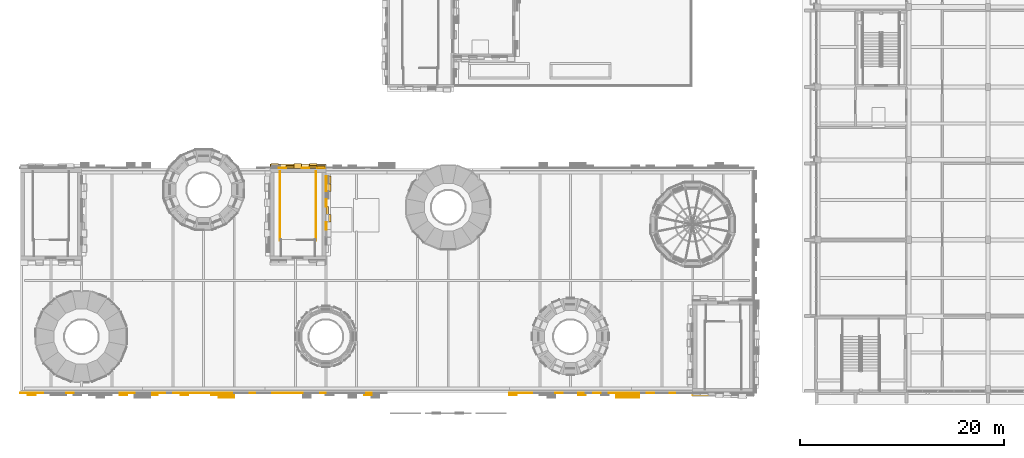
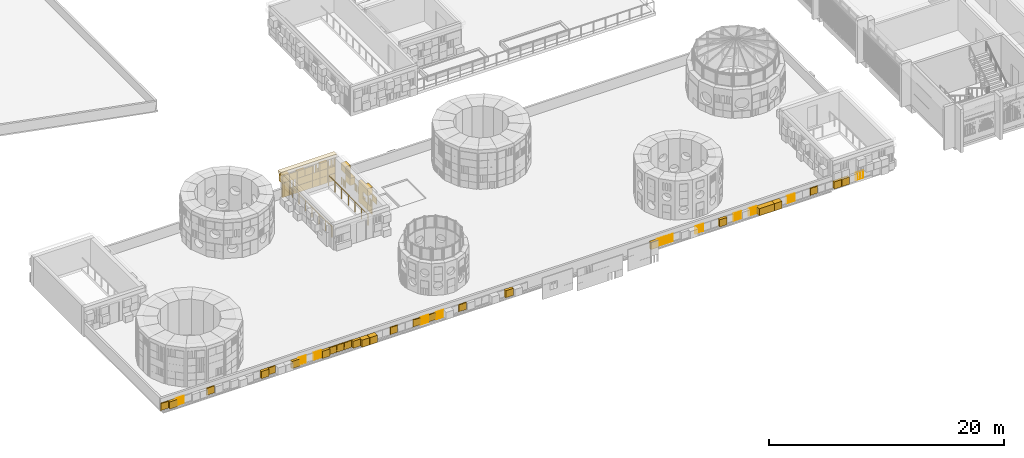
# One storey, part 72 of 98: 12 coverings, 2 railings.
"""IFC4 building model written with IfcOpenShell, lengths in metres."""

from ifc_helpers import new_model, si_unit, direction, frame, origin, origin_2d, place, context, subcontext, project, spatial, rectangle, circle, extrude, material, layer, layer_set, type_object, element, save


model = new_model("IFC4")

# Units and contexts
model_context = context("Model", 3, precision=1e-05, world=origin(), true_north=direction((0.0, 1.0)))
body_context = subcontext(model_context, "Body", "Model", "MODEL_VIEW")
ifc_project = project(units=[si_unit("LENGTHUNIT", "METRE"), si_unit("AREAUNIT", "SQUARE_METRE"), si_unit("VOLUMEUNIT", "CUBIC_METRE"), si_unit("PLANEANGLEUNIT", "RADIAN"), si_unit("MASSUNIT", "GRAM", prefix="KILO")], contexts=[model_context])

# Site, building, storey
site_placement = place(None, origin())
site = spatial("IfcSite", under=ifc_project, at=site_placement, CompositionType="ELEMENT")
building_placement = place(site_placement, origin())
building = spatial("IfcBuilding", under=site, at=building_placement, Name="Sun Court Science Centre", CompositionType="ELEMENT")
storey_placement = place(building_placement, frame((0.0, 0.0, 15.75)))
storey = spatial("IfcBuildingStorey", under=building, at=storey_placement, Name="L03", CompositionType="ELEMENT", Elevation=15.75)

# Railings
ifc_material_1 = material(Name="Steel S275", Category="steel")
railing_type = type_object("IfcRailingType", Name="Guard 1100 steel balustrade", PredefinedType="GUARDRAIL", material=ifc_material_1)
for number, where, name in (
    (1, (29.02294921875, 20.947998046875, 0.0), "L03 SB2 top well guard 2"),
    (2, (25.47705078125, 20.947998046875, 0.0), "L03 SB2 top well guard 3"),
):
    element("IfcRailing", number, at=place(storey_placement, frame(where)), inside=storey, type_object=railing_type, Name=name, PredefinedType="GUARDRAIL", context=body_context, shape_type="SweptSolid", body=[
        extrude(circle(Radius=0.02392578125, at=origin_2d()), frame((0.0, 0.0, 1.076171875), z_axis=(0.0, 1.0, 0.0), x_axis=(-1.0, 0.0, 0.0)), (0.0, 0.0, 1.0), 6.751953125),
        extrude(circle(Radius=0.02099609375, at=origin_2d()), origin(), (0.0, 0.0, 1.0), 1.052001953125),
        extrude(circle(Radius=0.02099609375, at=origin_2d()), frame((0.0, 1.125244140625, 0.0)), (0.0, 0.0, 1.0), 1.052001953125),
        extrude(circle(Radius=0.02099609375, at=origin_2d()), frame((0.0, 2.250732421875, 0.0)), (0.0, 0.0, 1.0), 1.052001953125),
        extrude(circle(Radius=0.02099609375, at=origin_2d()), frame((0.0, 3.3759765625, 0.0)), (0.0, 0.0, 1.0), 1.052001953125),
        extrude(circle(Radius=0.02099609375, at=origin_2d()), frame((0.0, 4.501220703125, 0.0)), (0.0, 0.0, 1.0), 1.052001953125),
        extrude(circle(Radius=0.02099609375, at=origin_2d()), frame((0.0, 5.626708984375, 0.0)), (0.0, 0.0, 1.0), 1.052001953125),
        extrude(circle(Radius=0.02099609375, at=origin_2d()), frame((0.0, 6.751953125, 0.0)), (0.0, 0.0, 1.0), 1.052001953125),
    ])

# Coverings
ifc_material_2 = material(Name="Terracotta panel", Category="masonry")
ifc_layer_1 = layer(ifc_material_2, 0.449951171875)
ifc_layer_set_1 = layer_set([ifc_layer_1], Name="Terracotta panel")
covering_type_1 = type_object("IfcCoveringType", Name="Terracotta cornice 450", PredefinedType="CLADDING", material=ifc_layer_set_1)
covering_1_placement = place(storey_placement, frame((0.0, 0.0, -15.75)))
element("IfcCovering", 3, at=covering_1_placement, inside=storey, type_object=covering_type_1, Name="Terracotta cornice north face of core L03", PredefinedType="CLADDING", context=body_context, shape_type="SweptSolid", body=[
    extrude(rectangle(XDim=5.5, YDim=0.449951171875, at=origin_2d()), frame((27.25, 28.22509765625, 18.2001953125), z_axis=(0.0, 0.0, 1.0), x_axis=(1.0, 0.0, 0.0)), (0.0, 0.0, 1.0), 0.300048828125),
])
ifc_material_3 = material(Name="Terracotta jali", Category="masonry")
ifc_layer_2 = layer(ifc_material_3, 0.06005859375)
ifc_layer_set_2 = layer_set([ifc_layer_2], Name="Terracotta jali")
covering_type_2 = type_object("IfcCoveringType", Name="Terracotta open jali panel", PredefinedType="CLADDING", material=ifc_layer_set_2)
covering_2_placement = place(storey_placement, frame((0.0, 0.0, -15.75)))
element("IfcCovering", 4, at=covering_2_placement, inside=storey, type_object=covering_type_2, Name="Open jali pixel cladding south face L03", PredefinedType="CLADDING", context=body_context, shape_type="SweptSolid", body=[
    extrude(rectangle(XDim=0.139892578125, YDim=0.06005859375, at=origin_2d()), frame((68.925048828125, 5.969970703125, 15.7548828125), z_axis=(0.0, 0.0, 1.0), x_axis=(-1.0, 0.0, 0.0)), (0.0, 0.0, 1.0), 0.739990234375),
    extrude(rectangle(XDim=0.139892578125, YDim=0.06005859375, at=origin_2d()), frame((68.625, 5.969970703125, 15.7548828125), z_axis=(0.0, 0.0, 1.0), x_axis=(-1.0, 0.0, 0.0)), (0.0, 0.0, 1.0), 0.739990234375),
    extrude(rectangle(XDim=0.139892578125, YDim=0.06005859375, at=origin_2d()), frame((68.324951171875, 5.969970703125, 15.7548828125), z_axis=(0.0, 0.0, 1.0), x_axis=(-1.0, 0.0, 0.0)), (0.0, 0.0, 1.0), 0.739990234375),
    extrude(rectangle(XDim=0.139892578125, YDim=0.06005859375, at=origin_2d()), frame((62.175048828125, 5.969970703125, 15.7548828125), z_axis=(0.0, 0.0, 1.0), x_axis=(-1.0, 0.0, 0.0)), (0.0, 0.0, 1.0), 0.739990234375),
    extrude(rectangle(XDim=0.139892578125, YDim=0.06005859375, at=origin_2d()), frame((61.875, 5.969970703125, 15.7548828125), z_axis=(0.0, 0.0, 1.0), x_axis=(-1.0, 0.0, 0.0)), (0.0, 0.0, 1.0), 0.739990234375),
    extrude(rectangle(XDim=0.139892578125, YDim=0.06005859375, at=origin_2d()), frame((61.574951171875, 5.969970703125, 15.7548828125), z_axis=(0.0, 0.0, 1.0), x_axis=(-1.0, 0.0, 0.0)), (0.0, 0.0, 1.0), 0.739990234375),
    extrude(rectangle(XDim=0.139892578125, YDim=0.06005859375, at=origin_2d()), frame((58.425048828125, 5.969970703125, 15.7548828125), z_axis=(0.0, 0.0, 1.0), x_axis=(-1.0, 0.0, 0.0)), (0.0, 0.0, 1.0), 0.739990234375),
    extrude(rectangle(XDim=0.139892578125, YDim=0.06005859375, at=origin_2d()), frame((58.125, 5.969970703125, 15.7548828125), z_axis=(0.0, 0.0, 1.0), x_axis=(-1.0, 0.0, 0.0)), (0.0, 0.0, 1.0), 0.739990234375),
    extrude(rectangle(XDim=0.139892578125, YDim=0.06005859375, at=origin_2d()), frame((57.824951171875, 5.969970703125, 15.7548828125), z_axis=(0.0, 0.0, 1.0), x_axis=(-1.0, 0.0, 0.0)), (0.0, 0.0, 1.0), 0.739990234375),
    extrude(rectangle(XDim=0.139892578125, YDim=0.06005859375, at=origin_2d()), frame((56.925048828125, 5.969970703125, 15.7548828125), z_axis=(0.0, 0.0, 1.0), x_axis=(-1.0, 0.0, 0.0)), (0.0, 0.0, 1.0), 0.739990234375),
    extrude(rectangle(XDim=0.139892578125, YDim=0.06005859375, at=origin_2d()), frame((56.625, 5.969970703125, 15.7548828125), z_axis=(0.0, 0.0, 1.0), x_axis=(-1.0, 0.0, 0.0)), (0.0, 0.0, 1.0), 0.739990234375),
    extrude(rectangle(XDim=0.139892578125, YDim=0.06005859375, at=origin_2d()), frame((56.324951171875, 5.969970703125, 15.7548828125), z_axis=(0.0, 0.0, 1.0), x_axis=(-1.0, 0.0, 0.0)), (0.0, 0.0, 1.0), 0.739990234375),
    extrude(rectangle(XDim=0.139892578125, YDim=0.06005859375, at=origin_2d()), frame((53.175048828125, 5.969970703125, 15.7548828125), z_axis=(0.0, 0.0, 1.0), x_axis=(-1.0, 0.0, 0.0)), (0.0, 0.0, 1.0), 0.739990234375),
    extrude(rectangle(XDim=0.139892578125, YDim=0.06005859375, at=origin_2d()), frame((52.875, 5.969970703125, 15.7548828125), z_axis=(0.0, 0.0, 1.0), x_axis=(-1.0, 0.0, 0.0)), (0.0, 0.0, 1.0), 0.739990234375),
    extrude(rectangle(XDim=0.139892578125, YDim=0.06005859375, at=origin_2d()), frame((52.574951171875, 5.969970703125, 15.7548828125), z_axis=(0.0, 0.0, 1.0), x_axis=(-1.0, 0.0, 0.0)), (0.0, 0.0, 1.0), 0.739990234375),
    extrude(rectangle(XDim=0.139892578125, YDim=0.06005859375, at=origin_2d()), frame((50.175048828125, 5.969970703125, 15.7548828125), z_axis=(0.0, 0.0, 1.0), x_axis=(-1.0, 0.0, 0.0)), (0.0, 0.0, 1.0), 0.739990234375),
    extrude(rectangle(XDim=0.139892578125, YDim=0.06005859375, at=origin_2d()), frame((49.875, 5.969970703125, 15.7548828125), z_axis=(0.0, 0.0, 1.0), x_axis=(-1.0, 0.0, 0.0)), (0.0, 0.0, 1.0), 0.739990234375),
    extrude(rectangle(XDim=0.139892578125, YDim=0.06005859375, at=origin_2d()), frame((49.574951171875, 5.969970703125, 15.7548828125), z_axis=(0.0, 0.0, 1.0), x_axis=(-1.0, 0.0, 0.0)), (0.0, 0.0, 1.0), 0.739990234375),
    extrude(rectangle(XDim=0.139892578125, YDim=0.06005859375, at=origin_2d()), frame((49.425048828125, 5.969970703125, 15.7548828125), z_axis=(0.0, 0.0, 1.0), x_axis=(-1.0, 0.0, 0.0)), (0.0, 0.0, 1.0), 0.739990234375),
    extrude(rectangle(XDim=0.139892578125, YDim=0.06005859375, at=origin_2d()), frame((49.125, 5.969970703125, 15.7548828125), z_axis=(0.0, 0.0, 1.0), x_axis=(-1.0, 0.0, 0.0)), (0.0, 0.0, 1.0), 0.739990234375),
    extrude(rectangle(XDim=0.139892578125, YDim=0.06005859375, at=origin_2d()), frame((48.824951171875, 5.969970703125, 15.7548828125), z_axis=(0.0, 0.0, 1.0), x_axis=(-1.0, 0.0, 0.0)), (0.0, 0.0, 1.0), 0.739990234375),
    extrude(rectangle(XDim=0.139892578125, YDim=0.06005859375, at=origin_2d()), frame((27.675048828125, 5.969970703125, 15.7548828125), z_axis=(0.0, 0.0, 1.0), x_axis=(-1.0, 0.0, 0.0)), (0.0, 0.0, 1.0), 0.739990234375),
    extrude(rectangle(XDim=0.139892578125, YDim=0.06005859375, at=origin_2d()), frame((27.375, 5.969970703125, 15.7548828125), z_axis=(0.0, 0.0, 1.0), x_axis=(-1.0, 0.0, 0.0)), (0.0, 0.0, 1.0), 0.739990234375),
    extrude(rectangle(XDim=0.139892578125, YDim=0.06005859375, at=origin_2d()), frame((27.074951171875, 5.969970703125, 15.7548828125), z_axis=(0.0, 0.0, 1.0), x_axis=(-1.0, 0.0, 0.0)), (0.0, 0.0, 1.0), 0.739990234375),
    extrude(rectangle(XDim=0.139892578125, YDim=0.06005859375, at=origin_2d()), frame((26.175048828125, 5.969970703125, 15.7548828125), z_axis=(0.0, 0.0, 1.0), x_axis=(-1.0, 0.0, 0.0)), (0.0, 0.0, 1.0), 0.739990234375),
    extrude(rectangle(XDim=0.139892578125, YDim=0.06005859375, at=origin_2d()), frame((25.875, 5.969970703125, 15.7548828125), z_axis=(0.0, 0.0, 1.0), x_axis=(-1.0, 0.0, 0.0)), (0.0, 0.0, 1.0), 0.739990234375),
    extrude(rectangle(XDim=0.139892578125, YDim=0.06005859375, at=origin_2d()), frame((25.574951171875, 5.969970703125, 15.7548828125), z_axis=(0.0, 0.0, 1.0), x_axis=(-1.0, 0.0, 0.0)), (0.0, 0.0, 1.0), 0.739990234375),
    extrude(rectangle(XDim=0.139892578125, YDim=0.06005859375, at=origin_2d()), frame((15.675048828125, 5.969970703125, 15.7548828125), z_axis=(0.0, 0.0, 1.0), x_axis=(-1.0, 0.0, 0.0)), (0.0, 0.0, 1.0), 0.739990234375),
    extrude(rectangle(XDim=0.139892578125, YDim=0.06005859375, at=origin_2d()), frame((15.375, 5.969970703125, 15.7548828125), z_axis=(0.0, 0.0, 1.0), x_axis=(-1.0, 0.0, 0.0)), (0.0, 0.0, 1.0), 0.739990234375),
    extrude(rectangle(XDim=0.139892578125, YDim=0.06005859375, at=origin_2d()), frame((15.074951171875, 5.969970703125, 15.7548828125), z_axis=(0.0, 0.0, 1.0), x_axis=(-1.0, 0.0, 0.0)), (0.0, 0.0, 1.0), 0.739990234375),
    extrude(rectangle(XDim=0.139892578125, YDim=0.06005859375, at=origin_2d()), frame((14.175048828125, 5.969970703125, 15.7548828125), z_axis=(0.0, 0.0, 1.0), x_axis=(-1.0, 0.0, 0.0)), (0.0, 0.0, 1.0), 0.739990234375),
    extrude(rectangle(XDim=0.139892578125, YDim=0.06005859375, at=origin_2d()), frame((13.875, 5.969970703125, 15.7548828125), z_axis=(0.0, 0.0, 1.0), x_axis=(-1.0, 0.0, 0.0)), (0.0, 0.0, 1.0), 0.739990234375),
    extrude(rectangle(XDim=0.139892578125, YDim=0.06005859375, at=origin_2d()), frame((13.574951171875, 5.969970703125, 15.7548828125), z_axis=(0.0, 0.0, 1.0), x_axis=(-1.0, 0.0, 0.0)), (0.0, 0.0, 1.0), 0.739990234375),
    extrude(rectangle(XDim=0.139892578125, YDim=0.06005859375, at=origin_2d()), frame((2.175048828125, 5.969970703125, 15.7548828125), z_axis=(0.0, 0.0, 1.0), x_axis=(-1.0, 0.0, 0.0)), (0.0, 0.0, 1.0), 0.739990234375),
    extrude(rectangle(XDim=0.139892578125, YDim=0.06005859375, at=origin_2d()), frame((1.875, 5.969970703125, 15.7548828125), z_axis=(0.0, 0.0, 1.0), x_axis=(-1.0, 0.0, 0.0)), (0.0, 0.0, 1.0), 0.739990234375),
    extrude(rectangle(XDim=0.139892578125, YDim=0.06005859375, at=origin_2d()), frame((1.574951171875, 5.969970703125, 15.7548828125), z_axis=(0.0, 0.0, 1.0), x_axis=(-1.0, 0.0, 0.0)), (0.0, 0.0, 1.0), 0.739990234375),
])
covering_3_placement = place(storey_placement, frame((0.0, 0.0, -15.75)))
element("IfcCovering", 5, at=covering_3_placement, inside=storey, type_object=covering_type_2, Name="Open jali pixel cladding east face of core L03", PredefinedType="CLADDING", context=body_context, shape_type="SweptSolid", body=[
    extrude(rectangle(XDim=0.139892578125, YDim=0.06005859375, at=origin_2d()), frame((30.030029296875, 27.175048828125, 15.830078125), z_axis=(0.0, 0.0, 1.0), x_axis=(0.0, -1.0, 0.0)), (0.0, 0.0, 1.0), 0.739990234375),
    extrude(rectangle(XDim=0.139892578125, YDim=0.06005859375, at=origin_2d()), frame((30.030029296875, 26.875, 15.830078125), z_axis=(0.0, 0.0, 1.0), x_axis=(0.0, -1.0, 0.0)), (0.0, 0.0, 1.0), 0.739990234375),
    extrude(rectangle(XDim=0.139892578125, YDim=0.06005859375, at=origin_2d()), frame((30.030029296875, 26.574951171875, 15.830078125), z_axis=(0.0, 0.0, 1.0), x_axis=(0.0, -1.0, 0.0)), (0.0, 0.0, 1.0), 0.739990234375),
    extrude(rectangle(XDim=0.139892578125, YDim=0.06005859375, at=origin_2d()), frame((30.030029296875, 24.925048828125, 16.580078125), z_axis=(0.0, 0.0, 1.0), x_axis=(0.0, -1.0, 0.0)), (0.0, 0.0, 1.0), 0.739990234375),
    extrude(rectangle(XDim=0.139892578125, YDim=0.06005859375, at=origin_2d()), frame((30.030029296875, 24.625, 16.580078125), z_axis=(0.0, 0.0, 1.0), x_axis=(0.0, -1.0, 0.0)), (0.0, 0.0, 1.0), 0.739990234375),
    extrude(rectangle(XDim=0.139892578125, YDim=0.06005859375, at=origin_2d()), frame((30.030029296875, 24.324951171875, 16.580078125), z_axis=(0.0, 0.0, 1.0), x_axis=(0.0, -1.0, 0.0)), (0.0, 0.0, 1.0), 0.739990234375),
    extrude(rectangle(XDim=0.139892578125, YDim=0.06005859375, at=origin_2d()), frame((30.030029296875, 22.675048828125, 16.580078125), z_axis=(0.0, 0.0, 1.0), x_axis=(0.0, -1.0, 0.0)), (0.0, 0.0, 1.0), 0.739990234375),
    extrude(rectangle(XDim=0.139892578125, YDim=0.06005859375, at=origin_2d()), frame((30.030029296875, 22.375, 16.580078125), z_axis=(0.0, 0.0, 1.0), x_axis=(0.0, -1.0, 0.0)), (0.0, 0.0, 1.0), 0.739990234375),
    extrude(rectangle(XDim=0.139892578125, YDim=0.06005859375, at=origin_2d()), frame((30.030029296875, 22.074951171875, 16.580078125), z_axis=(0.0, 0.0, 1.0), x_axis=(0.0, -1.0, 0.0)), (0.0, 0.0, 1.0), 0.739990234375),
    extrude(rectangle(XDim=0.139892578125, YDim=0.06005859375, at=origin_2d()), frame((30.030029296875, 26.425048828125, 17.330078125), z_axis=(0.0, 0.0, 1.0), x_axis=(0.0, -1.0, 0.0)), (0.0, 0.0, 1.0), 0.739990234375),
    extrude(rectangle(XDim=0.139892578125, YDim=0.06005859375, at=origin_2d()), frame((30.030029296875, 26.125, 17.330078125), z_axis=(0.0, 0.0, 1.0), x_axis=(0.0, -1.0, 0.0)), (0.0, 0.0, 1.0), 0.739990234375),
    extrude(rectangle(XDim=0.139892578125, YDim=0.06005859375, at=origin_2d()), frame((30.030029296875, 25.824951171875, 17.330078125), z_axis=(0.0, 0.0, 1.0), x_axis=(0.0, -1.0, 0.0)), (0.0, 0.0, 1.0), 0.739990234375),
    extrude(rectangle(XDim=0.739990234375, YDim=0.06005859375, at=origin_2d()), frame((30.030029296875, 22.375, 15.830078125), z_axis=(0.0, 0.0, 1.0), x_axis=(0.0, -1.0, 0.0)), (0.0, 0.0, 1.0), 0.739990234375),
])
covering_4_placement = place(storey_placement, frame((0.0, 0.0, -15.75)))
element("IfcCovering", 6, at=covering_4_placement, inside=storey, type_object=covering_type_2, Name="Open jali pixel cladding north face of core L03", PredefinedType="CLADDING", context=body_context, shape_type="SweptSolid", body=[
    extrude(rectangle(XDim=0.139892578125, YDim=0.06005859375, at=origin_2d()), frame((25.449951171875, 28.030029296875, 16.580078125), z_axis=(0.0, 0.0, 1.0), x_axis=(1.0, 0.0, 0.0)), (0.0, 0.0, 1.0), 0.739990234375),
    extrude(rectangle(XDim=0.139892578125, YDim=0.06005859375, at=origin_2d()), frame((25.75, 28.030029296875, 16.580078125), z_axis=(0.0, 0.0, 1.0), x_axis=(1.0, 0.0, 0.0)), (0.0, 0.0, 1.0), 0.739990234375),
    extrude(rectangle(XDim=0.139892578125, YDim=0.06005859375, at=origin_2d()), frame((26.050048828125, 28.030029296875, 16.580078125), z_axis=(0.0, 0.0, 1.0), x_axis=(1.0, 0.0, 0.0)), (0.0, 0.0, 1.0), 0.739990234375),
    extrude(rectangle(XDim=0.139892578125, YDim=0.06005859375, at=origin_2d()), frame((27.699951171875, 28.030029296875, 17.330078125), z_axis=(0.0, 0.0, 1.0), x_axis=(1.0, 0.0, 0.0)), (0.0, 0.0, 1.0), 0.739990234375),
    extrude(rectangle(XDim=0.139892578125, YDim=0.06005859375, at=origin_2d()), frame((28.0, 28.030029296875, 17.330078125), z_axis=(0.0, 0.0, 1.0), x_axis=(1.0, 0.0, 0.0)), (0.0, 0.0, 1.0), 0.739990234375),
    extrude(rectangle(XDim=0.139892578125, YDim=0.06005859375, at=origin_2d()), frame((28.300048828125, 28.030029296875, 17.330078125), z_axis=(0.0, 0.0, 1.0), x_axis=(1.0, 0.0, 0.0)), (0.0, 0.0, 1.0), 0.739990234375),
    extrude(rectangle(XDim=0.139892578125, YDim=0.06005859375, at=origin_2d()), frame((29.199951171875, 28.030029296875, 17.330078125), z_axis=(0.0, 0.0, 1.0), x_axis=(1.0, 0.0, 0.0)), (0.0, 0.0, 1.0), 0.739990234375),
    extrude(rectangle(XDim=0.139892578125, YDim=0.06005859375, at=origin_2d()), frame((29.5, 28.030029296875, 17.330078125), z_axis=(0.0, 0.0, 1.0), x_axis=(1.0, 0.0, 0.0)), (0.0, 0.0, 1.0), 0.739990234375),
    extrude(rectangle(XDim=0.139892578125, YDim=0.06005859375, at=origin_2d()), frame((29.800048828125, 28.030029296875, 17.330078125), z_axis=(0.0, 0.0, 1.0), x_axis=(1.0, 0.0, 0.0)), (0.0, 0.0, 1.0), 0.739990234375),
    extrude(rectangle(XDim=0.739990234375, YDim=0.06005859375, at=origin_2d()), frame((25.75, 28.030029296875, 17.330078125), z_axis=(0.0, 0.0, 1.0), x_axis=(1.0, 0.0, 0.0)), (0.0, 0.0, 1.0), 0.739990234375),
])
ifc_material_4 = material(Name="Terracotta shade 1", Category="masonry")
ifc_layer_3 = layer(ifc_material_4, 0.06005859375)
ifc_layer_set_3 = layer_set([ifc_layer_3], Name="Terracotta shade 1")
covering_type_3 = type_object("IfcCoveringType", Name="Terracotta pixel panel shade 1", PredefinedType="CLADDING", material=ifc_layer_set_3)
covering_5_placement = place(storey_placement, frame((0.0, 0.0, -15.75)))
element("IfcCovering", 7, at=covering_5_placement, inside=storey, type_object=covering_type_3, Name="Terracotta pixel cladding shade 1 east face of core L03", PredefinedType="CLADDING", context=body_context, shape_type="SweptSolid", body=[
    extrude(rectangle(XDim=0.739990234375, YDim=0.260009765625, at=origin_2d()), frame((30.1298828125, 23.875, 15.830078125), z_axis=(0.0, 0.0, 1.0), x_axis=(0.0, -1.0, 0.0)), (0.0, 0.0, 1.0), 0.739990234375),
    extrude(rectangle(XDim=0.739990234375, YDim=0.06005859375, at=origin_2d()), frame((30.030029296875, 23.125, 15.830078125), z_axis=(0.0, 0.0, 1.0), x_axis=(0.0, -1.0, 0.0)), (0.0, 0.0, 1.0), 0.739990234375),
    extrude(rectangle(XDim=0.739990234375, YDim=0.510009765625, at=origin_2d()), frame((30.2548828125, 26.125, 16.580078125), z_axis=(0.0, 0.0, 1.0), x_axis=(0.0, -1.0, 0.0)), (0.0, 0.0, 1.0), 0.739990234375),
    extrude(rectangle(XDim=0.739990234375, YDim=0.06005859375, at=origin_2d()), frame((30.030029296875, 23.875, 16.580078125), z_axis=(0.0, 0.0, 1.0), x_axis=(0.0, -1.0, 0.0)), (0.0, 0.0, 1.0), 0.739990234375),
    extrude(rectangle(XDim=0.739990234375, YDim=0.510009765625, at=origin_2d()), frame((30.2548828125, 26.875, 17.330078125), z_axis=(0.0, 0.0, 1.0), x_axis=(0.0, -1.0, 0.0)), (0.0, 0.0, 1.0), 0.739990234375),
    extrude(rectangle(XDim=0.739990234375, YDim=0.260009765625, at=origin_2d()), frame((30.1298828125, 23.875, 17.330078125), z_axis=(0.0, 0.0, 1.0), x_axis=(0.0, -1.0, 0.0)), (0.0, 0.0, 1.0), 0.739990234375),
    extrude(rectangle(XDim=0.739990234375, YDim=0.510009765625, at=origin_2d()), frame((30.2548828125, 23.125, 17.330078125), z_axis=(0.0, 0.0, 1.0), x_axis=(0.0, -1.0, 0.0)), (0.0, 0.0, 1.0), 0.739990234375),
    extrude(rectangle(XDim=0.739990234375, YDim=0.06005859375, at=origin_2d()), frame((30.030029296875, 21.625, 17.330078125), z_axis=(0.0, 0.0, 1.0), x_axis=(0.0, -1.0, 0.0)), (0.0, 0.0, 1.0), 0.739990234375),
])
covering_6_placement = place(storey_placement, frame((0.0, 0.0, -15.75)))
element("IfcCovering", 8, at=covering_6_placement, inside=storey, type_object=covering_type_3, Name="Terracotta pixel cladding shade 1 north face of core L03", PredefinedType="CLADDING", context=body_context, shape_type="SweptSolid", body=[
    extrude(rectangle(XDim=0.739990234375, YDim=0.260009765625, at=origin_2d()), frame((26.5, 28.1298828125, 15.830078125), z_axis=(0.0, 0.0, 1.0), x_axis=(1.0, 0.0, 0.0)), (0.0, 0.0, 1.0), 0.739990234375),
    extrude(rectangle(XDim=0.739990234375, YDim=0.510009765625, at=origin_2d()), frame((27.25, 28.2548828125, 15.830078125), z_axis=(0.0, 0.0, 1.0), x_axis=(1.0, 0.0, 0.0)), (0.0, 0.0, 1.0), 0.739990234375),
    extrude(rectangle(XDim=0.739990234375, YDim=0.06005859375, at=origin_2d()), frame((25.0, 28.030029296875, 16.580078125), z_axis=(0.0, 0.0, 1.0), x_axis=(1.0, 0.0, 0.0)), (0.0, 0.0, 1.0), 0.739990234375),
    extrude(rectangle(XDim=0.739990234375, YDim=0.510009765625, at=origin_2d()), frame((28.75, 28.2548828125, 16.580078125), z_axis=(0.0, 0.0, 1.0), x_axis=(1.0, 0.0, 0.0)), (0.0, 0.0, 1.0), 0.739990234375),
    extrude(rectangle(XDim=0.739990234375, YDim=0.06005859375, at=origin_2d()), frame((27.25, 28.030029296875, 17.330078125), z_axis=(0.0, 0.0, 1.0), x_axis=(1.0, 0.0, 0.0)), (0.0, 0.0, 1.0), 0.739990234375),
    extrude(rectangle(XDim=0.739990234375, YDim=0.510009765625, at=origin_2d()), frame((25.0, 28.2548828125, 17.330078125), z_axis=(0.0, 0.0, 1.0), x_axis=(1.0, 0.0, 0.0)), (0.0, 0.0, 1.0), 0.739990234375),
    extrude(rectangle(XDim=0.739990234375, YDim=0.06005859375, at=origin_2d()), frame((28.75, 28.030029296875, 15.830078125), z_axis=(0.0, 0.0, 1.0), x_axis=(1.0, 0.0, 0.0)), (0.0, 0.0, 1.0), 0.739990234375),
    extrude(rectangle(XDim=0.739990234375, YDim=0.06005859375, at=origin_2d()), frame((25.0, 28.030029296875, 15.830078125), z_axis=(0.0, 0.0, 1.0), x_axis=(1.0, 0.0, 0.0)), (0.0, 0.0, 1.0), 0.739990234375),
])
ifc_material_5 = material(Name="Terracotta shade 2", Category="masonry")
ifc_layer_4 = layer(ifc_material_5, 0.06005859375)
ifc_layer_set_4 = layer_set([ifc_layer_4], Name="Terracotta shade 2")
covering_type_4 = type_object("IfcCoveringType", Name="Terracotta pixel panel shade 2", PredefinedType="CLADDING", material=ifc_layer_set_4)
covering_7_placement = place(storey_placement, frame((0.0, 0.0, -15.75)))
element("IfcCovering", 9, at=covering_7_placement, inside=storey, type_object=covering_type_4, Name="Terracotta pixel cladding shade 2 south face L03", PredefinedType="CLADDING", context=body_context, shape_type="SweptSolid", body=[
    extrude(rectangle(XDim=0.739990234375, YDim=0.260009765625, at=origin_2d()), frame((67.125, 5.8701171875, 15.7548828125), z_axis=(0.0, 0.0, 1.0), x_axis=(-1.0, 0.0, 0.0)), (0.0, 0.0, 1.0), 0.739990234375),
    extrude(rectangle(XDim=0.739990234375, YDim=0.260009765625, at=origin_2d()), frame((66.375, 5.8701171875, 15.7548828125), z_axis=(0.0, 0.0, 1.0), x_axis=(-1.0, 0.0, 0.0)), (0.0, 0.0, 1.0), 0.739990234375),
    extrude(rectangle(XDim=0.739990234375, YDim=0.510009765625, at=origin_2d()), frame((59.625, 5.7451171875, 15.7548828125), z_axis=(0.0, 0.0, 1.0), x_axis=(-1.0, 0.0, 0.0)), (0.0, 0.0, 1.0), 0.739990234375),
    extrude(rectangle(XDim=0.739990234375, YDim=0.510009765625, at=origin_2d()), frame((58.875, 5.7451171875, 15.7548828125), z_axis=(0.0, 0.0, 1.0), x_axis=(-1.0, 0.0, 0.0)), (0.0, 0.0, 1.0), 0.739990234375),
    extrude(rectangle(XDim=0.739990234375, YDim=0.260009765625, at=origin_2d()), frame((48.375, 5.8701171875, 15.7548828125), z_axis=(0.0, 0.0, 1.0), x_axis=(-1.0, 0.0, 0.0)), (0.0, 0.0, 1.0), 0.739990234375),
    extrude(rectangle(XDim=0.739990234375, YDim=0.06005859375, at=origin_2d()), frame((29.625, 5.969970703125, 15.7548828125), z_axis=(0.0, 0.0, 1.0), x_axis=(-1.0, 0.0, 0.0)), (0.0, 0.0, 1.0), 0.739990234375),
    extrude(rectangle(XDim=0.739990234375, YDim=0.06005859375, at=origin_2d()), frame((26.625, 5.969970703125, 15.7548828125), z_axis=(0.0, 0.0, 1.0), x_axis=(-1.0, 0.0, 0.0)), (0.0, 0.0, 1.0), 0.739990234375),
    extrude(rectangle(XDim=0.739990234375, YDim=0.06005859375, at=origin_2d()), frame((25.125, 5.969970703125, 15.7548828125), z_axis=(0.0, 0.0, 1.0), x_axis=(-1.0, 0.0, 0.0)), (0.0, 0.0, 1.0), 0.739990234375),
    extrude(rectangle(XDim=0.739990234375, YDim=0.06005859375, at=origin_2d()), frame((22.875, 5.969970703125, 15.7548828125), z_axis=(0.0, 0.0, 1.0), x_axis=(-1.0, 0.0, 0.0)), (0.0, 0.0, 1.0), 0.739990234375),
    extrude(rectangle(XDim=0.739990234375, YDim=0.510009765625, at=origin_2d()), frame((20.625, 5.7451171875, 15.7548828125), z_axis=(0.0, 0.0, 1.0), x_axis=(-1.0, 0.0, 0.0)), (0.0, 0.0, 1.0), 0.739990234375),
    extrude(rectangle(XDim=0.739990234375, YDim=0.510009765625, at=origin_2d()), frame((19.875, 5.7451171875, 15.7548828125), z_axis=(0.0, 0.0, 1.0), x_axis=(-1.0, 0.0, 0.0)), (0.0, 0.0, 1.0), 0.739990234375),
    extrude(rectangle(XDim=0.739990234375, YDim=0.06005859375, at=origin_2d()), frame((18.375, 5.969970703125, 15.7548828125), z_axis=(0.0, 0.0, 1.0), x_axis=(-1.0, 0.0, 0.0)), (0.0, 0.0, 1.0), 0.739990234375),
    extrude(rectangle(XDim=0.739990234375, YDim=0.260009765625, at=origin_2d()), frame((16.125, 5.8701171875, 15.7548828125), z_axis=(0.0, 0.0, 1.0), x_axis=(-1.0, 0.0, 0.0)), (0.0, 0.0, 1.0), 0.739990234375),
    extrude(rectangle(XDim=0.739990234375, YDim=0.260009765625, at=origin_2d()), frame((13.125, 5.8701171875, 15.7548828125), z_axis=(0.0, 0.0, 1.0), x_axis=(-1.0, 0.0, 0.0)), (0.0, 0.0, 1.0), 0.739990234375),
    extrude(rectangle(XDim=0.739990234375, YDim=0.06005859375, at=origin_2d()), frame((10.875, 5.969970703125, 15.7548828125), z_axis=(0.0, 0.0, 1.0), x_axis=(-1.0, 0.0, 0.0)), (0.0, 0.0, 1.0), 0.739990234375),
    extrude(rectangle(XDim=0.739990234375, YDim=0.06005859375, at=origin_2d()), frame((0.375, 5.969970703125, 15.7548828125), z_axis=(0.0, 0.0, 1.0), x_axis=(-1.0, 0.0, 0.0)), (0.0, 0.0, 1.0), 0.739990234375),
])
covering_8_placement = place(storey_placement, frame((0.0, 0.0, -15.75)))
element("IfcCovering", 10, at=covering_8_placement, inside=storey, type_object=covering_type_4, Name="Terracotta pixel cladding shade 2 north face of core L03", PredefinedType="CLADDING", context=body_context, shape_type="SweptSolid", body=[
    extrude(rectangle(XDim=0.739990234375, YDim=0.260009765625, at=origin_2d()), frame((29.5, 28.1298828125, 15.830078125), z_axis=(0.0, 0.0, 1.0), x_axis=(1.0, 0.0, 0.0)), (0.0, 0.0, 1.0), 0.739990234375),
    extrude(rectangle(XDim=0.739990234375, YDim=0.260009765625, at=origin_2d()), frame((26.5, 28.1298828125, 17.330078125), z_axis=(0.0, 0.0, 1.0), x_axis=(1.0, 0.0, 0.0)), (0.0, 0.0, 1.0), 0.739990234375),
    extrude(rectangle(XDim=0.739990234375, YDim=0.260009765625, at=origin_2d()), frame((28.75, 28.1298828125, 17.330078125), z_axis=(0.0, 0.0, 1.0), x_axis=(1.0, 0.0, 0.0)), (0.0, 0.0, 1.0), 0.739990234375),
])
ifc_material_6 = material(Name="Terracotta shade 3", Category="masonry")
ifc_layer_5 = layer(ifc_material_6, 0.06005859375)
ifc_layer_set_5 = layer_set([ifc_layer_5], Name="Terracotta shade 3")
covering_type_5 = type_object("IfcCoveringType", Name="Terracotta pixel panel shade 3", PredefinedType="CLADDING", material=ifc_layer_set_5)
covering_9_placement = place(storey_placement, frame((0.0, 0.0, -15.75)))
element("IfcCovering", 11, at=covering_9_placement, inside=storey, type_object=covering_type_5, Name="Terracotta pixel cladding shade 3 north face of core L03", PredefinedType="CLADDING", context=body_context, shape_type="SweptSolid", body=[
    extrude(rectangle(XDim=0.739990234375, YDim=0.06005859375, at=origin_2d()), frame((26.5, 28.030029296875, 16.580078125), z_axis=(0.0, 0.0, 1.0), x_axis=(1.0, 0.0, 0.0)), (0.0, 0.0, 1.0), 0.739990234375),
    extrude(rectangle(XDim=0.739990234375, YDim=0.510009765625, at=origin_2d()), frame((27.25, 28.2548828125, 16.580078125), z_axis=(0.0, 0.0, 1.0), x_axis=(1.0, 0.0, 0.0)), (0.0, 0.0, 1.0), 0.739990234375),
])
ifc_material_7 = material(Name="Terracotta shade 4", Category="masonry")
ifc_layer_6 = layer(ifc_material_7, 0.06005859375)
ifc_layer_set_6 = layer_set([ifc_layer_6], Name="Terracotta shade 4")
covering_type_6 = type_object("IfcCoveringType", Name="Terracotta pixel panel shade 4", PredefinedType="CLADDING", material=ifc_layer_set_6)
covering_10_placement = place(storey_placement, frame((0.0, 0.0, -15.75)))
element("IfcCovering", 12, at=covering_10_placement, inside=storey, type_object=covering_type_6, Name="Terracotta pixel cladding shade 4 south face L03", PredefinedType="CLADDING", context=body_context, shape_type="SweptSolid", body=[
    extrude(rectangle(XDim=0.739990234375, YDim=0.06005859375, at=origin_2d()), frame((64.125, 5.969970703125, 15.7548828125), z_axis=(0.0, 0.0, 1.0), x_axis=(-1.0, 0.0, 0.0)), (0.0, 0.0, 1.0), 0.739990234375),
    extrude(rectangle(XDim=0.739990234375, YDim=0.510009765625, at=origin_2d()), frame((60.375, 5.7451171875, 15.7548828125), z_axis=(0.0, 0.0, 1.0), x_axis=(-1.0, 0.0, 0.0)), (0.0, 0.0, 1.0), 0.739990234375),
    extrude(rectangle(XDim=0.739990234375, YDim=0.260009765625, at=origin_2d()), frame((55.125, 5.8701171875, 15.7548828125), z_axis=(0.0, 0.0, 1.0), x_axis=(-1.0, 0.0, 0.0)), (0.0, 0.0, 1.0), 0.739990234375),
    extrude(rectangle(XDim=0.739990234375, YDim=0.260009765625, at=origin_2d()), frame((34.125, 5.8701171875, 15.7548828125), z_axis=(0.0, 0.0, 1.0), x_axis=(-1.0, 0.0, 0.0)), (0.0, 0.0, 1.0), 0.739990234375),
    extrude(rectangle(XDim=0.739990234375, YDim=0.260009765625, at=origin_2d()), frame((19.125, 5.8701171875, 15.7548828125), z_axis=(0.0, 0.0, 1.0), x_axis=(-1.0, 0.0, 0.0)), (0.0, 0.0, 1.0), 0.739990234375),
    extrude(rectangle(XDim=0.739990234375, YDim=0.06005859375, at=origin_2d()), frame((17.625, 5.969970703125, 15.7548828125), z_axis=(0.0, 0.0, 1.0), x_axis=(-1.0, 0.0, 0.0)), (0.0, 0.0, 1.0), 0.739990234375),
    extrude(rectangle(XDim=0.739990234375, YDim=0.06005859375, at=origin_2d()), frame((16.875, 5.969970703125, 15.7548828125), z_axis=(0.0, 0.0, 1.0), x_axis=(-1.0, 0.0, 0.0)), (0.0, 0.0, 1.0), 0.739990234375),
    extrude(rectangle(XDim=0.739990234375, YDim=0.260009765625, at=origin_2d()), frame((10.125, 5.8701171875, 15.7548828125), z_axis=(0.0, 0.0, 1.0), x_axis=(-1.0, 0.0, 0.0)), (0.0, 0.0, 1.0), 0.739990234375),
    extrude(rectangle(XDim=0.739990234375, YDim=0.06005859375, at=origin_2d()), frame((4.875, 5.969970703125, 15.7548828125), z_axis=(0.0, 0.0, 1.0), x_axis=(-1.0, 0.0, 0.0)), (0.0, 0.0, 1.0), 0.739990234375),
    extrude(rectangle(XDim=0.739990234375, YDim=0.260009765625, at=origin_2d()), frame((1.125, 5.8701171875, 15.7548828125), z_axis=(0.0, 0.0, 1.0), x_axis=(-1.0, 0.0, 0.0)), (0.0, 0.0, 1.0), 0.739990234375),
])
covering_11_placement = place(storey_placement, frame((0.0, 0.0, -15.75)))
element("IfcCovering", 13, at=covering_11_placement, inside=storey, type_object=covering_type_6, Name="Terracotta pixel cladding shade 4 north face of core L03", PredefinedType="CLADDING", context=body_context, shape_type="SweptSolid", body=[
    extrude(rectangle(XDim=0.739990234375, YDim=0.06005859375, at=origin_2d()), frame((25.75, 28.030029296875, 15.830078125), z_axis=(0.0, 0.0, 1.0), x_axis=(1.0, 0.0, 0.0)), (0.0, 0.0, 1.0), 0.739990234375),
    extrude(rectangle(XDim=0.739990234375, YDim=0.06005859375, at=origin_2d()), frame((28.0, 28.030029296875, 15.830078125), z_axis=(0.0, 0.0, 1.0), x_axis=(1.0, 0.0, 0.0)), (0.0, 0.0, 1.0), 0.739990234375),
    extrude(rectangle(XDim=0.739990234375, YDim=0.06005859375, at=origin_2d()), frame((28.0, 28.030029296875, 16.580078125), z_axis=(0.0, 0.0, 1.0), x_axis=(1.0, 0.0, 0.0)), (0.0, 0.0, 1.0), 0.739990234375),
])
ifc_material_8 = material(Name="Terracotta shade 5", Category="masonry")
ifc_layer_7 = layer(ifc_material_8, 0.06005859375)
ifc_layer_set_7 = layer_set([ifc_layer_7], Name="Terracotta shade 5")
covering_type_7 = type_object("IfcCoveringType", Name="Terracotta pixel panel shade 5", PredefinedType="CLADDING", material=ifc_layer_set_7)
covering_12_placement = place(storey_placement, frame((0.0, 0.0, -15.75)))
element("IfcCovering", 14, at=covering_12_placement, inside=storey, type_object=covering_type_7, Name="Terracotta pixel cladding shade 5 north face of core L03", PredefinedType="CLADDING", context=body_context, shape_type="SweptSolid", body=[
    extrude(rectangle(XDim=0.739990234375, YDim=0.260009765625, at=origin_2d()), frame((29.5, 28.1298828125, 16.580078125), z_axis=(0.0, 0.0, 1.0), x_axis=(1.0, 0.0, 0.0)), (0.0, 0.0, 1.0), 0.739990234375),
])

save(model, "model.ifc")
